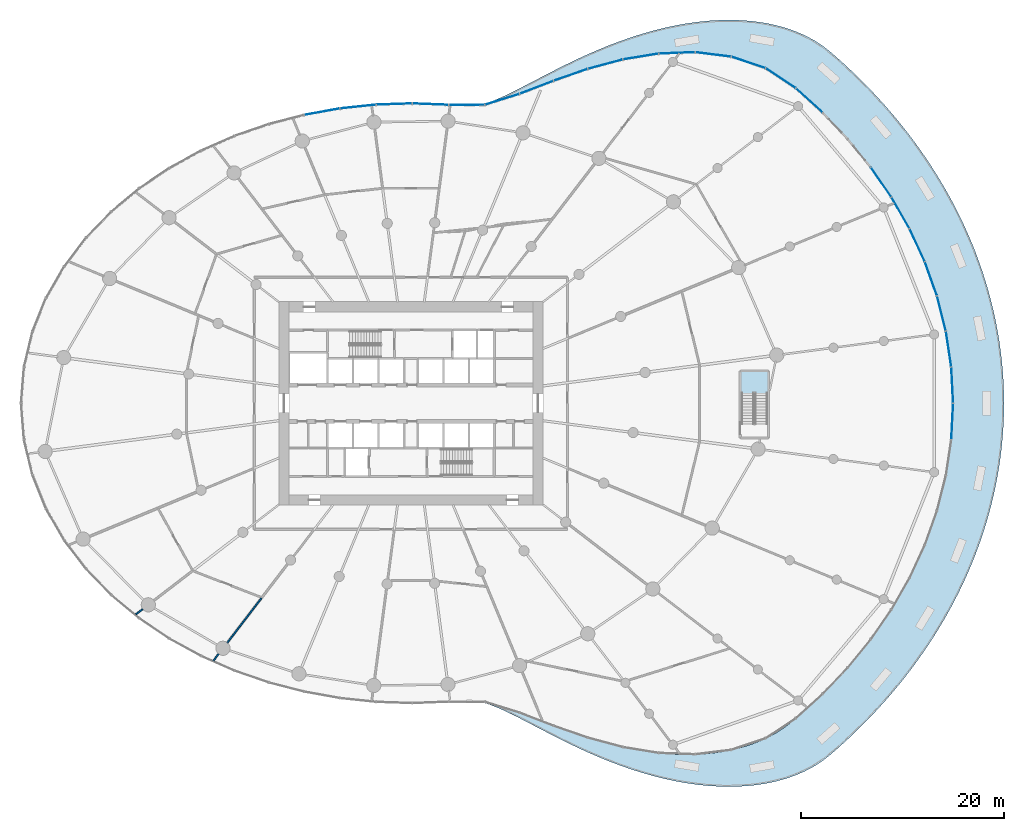
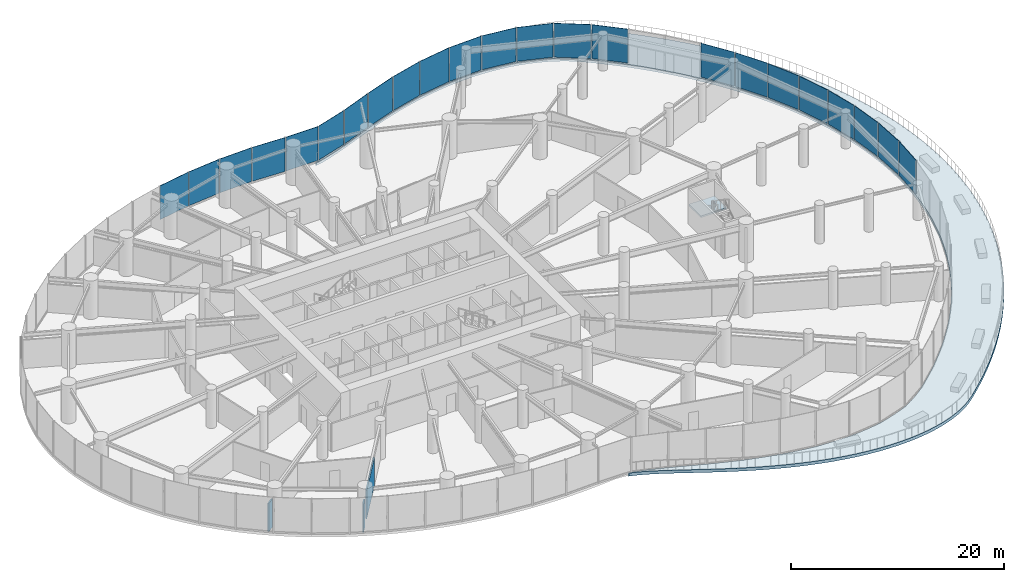
# One storey, part 13 of 24: 23 plates, 3 walls, 2 slabs, 6 elements without a shape of their own.
"""IFC4 building model written with IfcOpenShell, lengths in metres."""

from ifc_helpers import new_model, si_unit, direction, frame, frame_2d, origin, origin_2d, place, context, subcontext, project, spatial, line, indexed_curve, rectangle, outline, extrude, source, transform, mapped, material, layer, layer_set, type_object, element, aggregate, save


model = new_model("IFC4")

# Units and contexts
model_context = context("Model", 3, precision=1e-05, world=origin(), true_north=direction((0.0, 1.0)))
body_context = subcontext(model_context, "Body", "Model", "MODEL_VIEW")
ifc_project = project(units=[si_unit("LENGTHUNIT", "METRE"), si_unit("AREAUNIT", "SQUARE_METRE"), si_unit("VOLUMEUNIT", "CUBIC_METRE"), si_unit("PLANEANGLEUNIT", "RADIAN"), si_unit("MASSUNIT", "GRAM", prefix="KILO")], contexts=[model_context])

# Site, building, storey
site_placement = place(None, origin())
site = spatial("IfcSite", under=ifc_project, at=site_placement, CompositionType="ELEMENT")
building_placement = place(site_placement, origin())
building = spatial("IfcBuilding", under=site, at=building_placement, Name="Spindrift Exchange Tower", CompositionType="ELEMENT")
storey_placement = place(building_placement, frame((0.0, 0.0, 5.0)))
storey = spatial("IfcBuildingStorey", under=building, at=storey_placement, Name="L01", CompositionType="ELEMENT", Elevation=5.0)

# Slab
ifc_material_1 = material(Name="Concrete 40 MPa", Category="concrete")
ifc_layer_1 = layer(ifc_material_1, 0.35009765625)
ifc_layer_set_1 = layer_set([ifc_layer_1], Name="RC Terrace Slab 350 Concrete 40 MPa")
slab_type_1 = type_object("IfcSlabType", Name="RC Terrace Slab 350 Concrete 40 MPa", PredefinedType="FLOOR", material=ifc_layer_set_1)
slab_1_placement = place(storey_placement, frame((0.0, 0.0, -0.35009765625)))
element("IfcSlab", 1, at=slab_1_placement, inside=storey, type_object=slab_type_1, Name="Podium terrace L00", PredefinedType="FLOOR", context=body_context, shape_type="SweptSolid", body=[
    extrude(outline(indexed_curve([(59.0791015625, 77.336181640625), (59.041748046875, 77.344482421875), (59.022216796875, 77.3720703125), (59.02490234375, 77.40576171875), (59.04833984375, 77.43017578125), (59.35986328125, 77.515625), (59.963623046875, 77.722412109375), (60.594970703125, 77.975341796875), (61.25439453125, 78.268798828125), (61.941650390625, 78.59765625), (62.659912109375, 78.9580078125), (65.843017578125, 80.612548828125), (66.718017578125, 81.056396484375), (67.623046875, 81.503173828125), (68.556884765625, 81.947509765625), (69.52099609375, 82.38623046875), (70.511474609375, 82.814208984375), (71.526123046875, 83.226806640625), (72.56640625, 83.62109375), (73.626953125, 83.9921875), (74.70458984375, 84.336181640625), (75.800048828125, 84.64990234375), (76.908447265625, 84.92919921875), (78.02685546875, 85.17138671875), (79.15380859375, 85.372802734375), (80.280029296875, 85.530029296875), (81.4072265625, 85.640869140625), (82.52978515625, 85.702392578125), (83.643310546875, 85.71240234375), (84.7431640625, 85.66845703125), (85.8251953125, 85.568359375), (86.884521484375, 85.410888671875), (87.916259765625, 85.1943359375), (88.915283203125, 84.91748046875), (89.87646484375, 84.5791015625), (90.794189453125, 84.1787109375), (91.663818359375, 83.7158203125), (92.478759765625, 83.1904296875), (93.237060546875, 82.60009765625), (93.95556640625, 81.974365234375), (94.665771484375, 81.334716796875), (95.368408203125, 80.6796875), (96.06005859375, 80.01220703125), (96.743408203125, 79.3291015625), (97.415771484375, 78.6328125), (98.077392578125, 77.922607421875), (98.727783203125, 77.1982421875), (99.3662109375, 76.4599609375), (99.99267578125, 75.7080078125), (100.606201171875, 74.9423828125), (101.206298828125, 74.162841796875), (101.79248046875, 73.3701171875), (102.364501953125, 72.563720703125), (102.92138671875, 71.744384765625), (103.46240234375, 70.912109375), (103.987548828125, 70.066650390625), (104.49560546875, 69.208984375), (104.986572265625, 68.339111328125), (105.45947265625, 67.45703125), (105.913818359375, 66.5634765625), (106.34912109375, 65.658447265625), (106.7646484375, 64.74267578125), (107.159912109375, 63.81640625), (107.534423828125, 62.8798828125), (107.8876953125, 61.93359375), (108.218994140625, 60.978515625), (108.52783203125, 60.0146484375), (108.813720703125, 59.044189453125), (109.076904296875, 58.063720703125), (109.31591796875, 57.077392578125), (109.531005859375, 56.084716796875), (109.721435546875, 55.087890625), (109.88720703125, 54.084716796875), (110.028076171875, 53.077392578125), (110.143798828125, 52.065185546875), (110.23388671875, 51.05126953125), (110.29833984375, 50.03515625), (110.337158203125, 49.017578125), (110.35009765625, 48.00048828125), (110.337158203125, 46.982421875), (110.29833984375, 45.96484375), (110.23388671875, 44.947509765625), (110.143798828125, 43.934814453125), (110.0283203125, 42.923828125), (109.887451171875, 41.91650390625), (109.7216796875, 40.913330078125), (109.531005859375, 39.915283203125), (109.31591796875, 38.922607421875), (109.076904296875, 37.936279296875), (108.81396484375, 36.95703125), (108.52783203125, 35.9853515625), (108.218994140625, 35.021484375), (107.8876953125, 34.06640625), (107.534423828125, 33.1201171875), (107.159912109375, 32.18359375), (106.7646484375, 31.25732421875), (106.34912109375, 30.341552734375), (105.913818359375, 29.4365234375), (105.45947265625, 28.54296875), (104.986572265625, 27.660888671875), (104.49560546875, 26.791015625), (103.987548828125, 25.933349609375), (103.46240234375, 25.087890625), (102.92138671875, 24.255615234375), (102.364501953125, 23.436279296875), (101.79248046875, 22.6298828125), (101.206298828125, 21.837158203125), (100.606201171875, 21.0576171875), (99.99267578125, 20.2919921875), (99.36572265625, 19.539306640625), (98.727783203125, 18.8017578125), (98.076904296875, 18.076904296875), (97.415283203125, 17.36669921875), (96.743408203125, 16.6708984375), (96.060791015625, 15.988525390625), (95.368408203125, 15.3203125), (94.66650390625, 14.666015625), (93.955078125, 14.02490234375), (93.23486328125, 13.398193359375), (92.478759765625, 12.8095703125), (91.663818359375, 12.2841796875), (90.7978515625, 11.822998046875), (89.87646484375, 11.4208984375), (88.915283203125, 11.08251953125), (87.919189453125, 10.806396484375), (86.884521484375, 10.589111328125), (85.8251953125, 10.431640625), (84.745849609375, 10.331787109375), (83.643310546875, 10.28759765625), (82.52978515625, 10.297607421875), (81.409423828125, 10.35888671875), (80.280029296875, 10.469970703125), (79.152099609375, 10.62744140625), (78.02685546875, 10.82861328125), (76.908447265625, 11.07080078125), (75.801513671875, 11.349853515625), (74.70458984375, 11.663818359375), (73.626953125, 12.0078125), (72.56640625, 12.37890625), (71.527099609375, 12.77294921875), (70.511474609375, 13.185791015625), (69.520263671875, 13.6142578125), (68.5576171875, 14.05224609375), (67.622314453125, 14.497314453125), (66.718017578125, 14.943603515625), (65.843017578125, 15.387451171875), (62.65966796875, 17.042236328125), (61.94189453125, 17.402099609375), (61.25439453125, 17.731201171875), (60.595703125, 18.0244140625), (59.96484375, 18.277099609375), (59.35986328125, 18.484375), (59.052734375, 18.56787109375), (59.027099609375, 18.58984375), (59.021240234375, 18.623046875), (59.041748046875, 18.655517578125), (59.0791015625, 18.663818359375), (59.326416015625, 18.6201171875), (59.907470703125, 18.485107421875), (60.512451171875, 18.316162109375), (61.134765625, 18.119384765625), (61.781494140625, 17.896484375), (62.44970703125, 17.65234375), (66.14453125, 16.230712890625), (66.9541015625, 15.930908203125), (67.785888671875, 15.63427734375), (68.63916015625, 15.343994140625), (69.512451171875, 15.063720703125), (70.405029296875, 14.7958984375), (71.316162109375, 14.5439453125), (72.242431640625, 14.311279296875), (73.182861328125, 14.1005859375), (74.134765625, 13.9150390625), (75.09716796875, 13.756591796875), (76.06689453125, 13.62841796875), (77.04150390625, 13.53271484375), (78.018310546875, 13.4716796875), (78.99560546875, 13.447998046875), (79.966796875, 13.463134765625), (80.93212890625, 13.519287109375), (81.88720703125, 13.617919921875), (82.82958984375, 13.760986328125), (83.752197265625, 13.94921875), (84.65625, 14.184326171875), (85.53271484375, 14.466552734375), (86.3828125, 14.7978515625), (87.197021484375, 15.177001953125), (87.975830078125, 15.606201171875), (88.713134765625, 16.08447265625), (89.4052734375, 16.612548828125), (90.0693359375, 17.171875), (90.725830078125, 17.743896484375), (91.375, 18.3291015625), (92.01513671875, 18.927001953125), (92.647216796875, 19.5380859375), (93.2705078125, 20.1630859375), (93.8837890625, 20.800537109375), (94.4873046875, 21.451416015625), (95.080322265625, 22.114990234375), (95.662353515625, 22.791748046875), (96.232666015625, 23.481201171875), (96.79150390625, 24.18408203125), (97.337158203125, 24.8994140625), (97.8701171875, 25.62744140625), (98.389404296875, 26.368408203125), (98.894287109375, 27.12109375), (99.384765625, 27.88671875), (99.859619140625, 28.663818359375), (100.318359375, 29.4521484375), (100.7607421875, 30.252685546875), (101.18603515625, 31.064208984375), (101.59375, 31.886474609375), (101.98291015625, 32.718994140625), (102.353271484375, 33.56103515625), (102.70458984375, 34.4140625), (103.035888671875, 35.27490234375), (103.3466796875, 36.145263671875), (103.636962890625, 37.02392578125), (103.905517578125, 37.910400390625), (104.152587890625, 38.804443359375), (104.37744140625, 39.70458984375), (104.57958984375, 40.610595703125), (104.7587890625, 41.522216796875), (104.914794921875, 42.438720703125), (105.04736328125, 43.358642578125), (105.156005859375, 44.283203125), (105.24072265625, 45.210205078125), (105.301513671875, 46.138427734375), (105.337890625, 47.0693359375), (105.35009765625, 48.000244140625), (105.337890625, 48.9306640625), (105.301513671875, 49.861083984375), (105.24072265625, 50.789794921875), (105.156005859375, 51.716796875), (105.04736328125, 52.641357421875), (104.914794921875, 53.56201171875), (104.7587890625, 54.477783203125), (104.57958984375, 55.389404296875), (104.377197265625, 56.296142578125), (104.152587890625, 57.1962890625), (103.905517578125, 58.089599609375), (103.636962890625, 58.97607421875), (103.3466796875, 59.854736328125), (103.035888671875, 60.72509765625), (102.70458984375, 61.5859375), (102.353515625, 62.438232421875), (101.98291015625, 63.281005859375), (101.593505859375, 64.1142578125), (101.185791015625, 64.936279296875), (100.7607421875, 65.747314453125), (100.318359375, 66.5478515625), (99.859619140625, 67.336181640625), (99.384765625, 68.11328125), (98.89453125, 68.87841796875), (98.389404296875, 69.6318359375), (97.870361328125, 70.372314453125), (97.33740234375, 71.100341796875), (96.79150390625, 71.81591796875), (96.23291015625, 72.518310546875), (95.662353515625, 73.208251953125), (95.080322265625, 73.885009765625), (94.4873046875, 74.548583984375), (93.883544921875, 75.19970703125), (93.2705078125, 75.8369140625), (92.6474609375, 76.46142578125), (92.015625, 77.07275390625), (91.37451171875, 77.671142578125), (90.726318359375, 78.256103515625), (90.0693359375, 78.828125), (89.4052734375, 79.387451171875), (88.71484375, 79.914306640625), (87.975830078125, 80.393798828125), (87.197021484375, 80.822998046875), (86.38134765625, 81.20263671875), (85.53271484375, 81.533447265625), (84.65625, 81.815673828125), (83.752197265625, 82.05078125), (82.828369140625, 82.239013671875), (81.88720703125, 82.382080078125), (80.93212890625, 82.480712890625), (79.966796875, 82.536865234375), (78.994384765625, 82.552001953125), (78.018310546875, 82.5283203125), (77.04248046875, 82.46728515625), (76.06689453125, 82.37158203125), (75.097900390625, 82.243408203125), (74.135498046875, 82.085205078125), (73.182861328125, 81.8994140625), (72.24169921875, 81.6884765625), (71.3154296875, 81.455810546875), (70.40576171875, 81.204345703125), (69.512451171875, 80.936279296875), (68.638916015625, 80.656005859375), (67.785888671875, 80.36572265625), (66.9541015625, 80.069091796875), (65.3583984375, 79.470458984375), (63.140869140625, 78.60986328125), (61.78076171875, 78.10302734375), (61.135986328125, 77.880859375), (60.5107421875, 77.683349609375), (59.907470703125, 77.514892578125), (59.326416015625, 77.3798828125)], segments=[line(1, 2, 3, 4, 5, 6, 7, 8, 9, 10, 11, 12, 13, 14, 15, 16, 17, 18, 19, 20, 21, 22, 23, 24, 25, 26, 27, 28, 29, 30, 31, 32, 33, 34, 35, 36, 37, 38, 39, 40, 41, 42, 43, 44, 45, 46, 47, 48, 49, 50, 51, 52, 53, 54, 55, 56, 57, 58, 59, 60, 61, 62, 63, 64, 65, 66, 67, 68, 69, 70, 71, 72, 73, 74, 75, 76, 77, 78, 79, 80, 81, 82, 83, 84, 85, 86, 87, 88, 89, 90, 91, 92, 93, 94, 95, 96, 97, 98, 99, 100, 101, 102, 103, 104, 105, 106, 107, 108, 109, 110, 111, 112, 113, 114, 115, 116, 117, 118, 119, 120, 121, 122, 123, 124, 125, 126, 127, 128, 129, 130, 131, 132, 133, 134, 135, 136, 137, 138, 139, 140, 141, 142, 143, 144, 145, 146, 147, 148, 149, 150, 151, 152, 153, 154, 155, 156, 157, 158, 159, 160, 161, 162, 163, 164, 165, 166, 167, 168, 169, 170, 171, 172, 173, 174, 175, 176, 177, 178, 179, 180, 181, 182, 183, 184, 185, 186, 187, 188, 189, 190, 191, 192, 193, 194, 195, 196, 197, 198, 199, 200, 201, 202, 203, 204, 205, 206, 207, 208, 209, 210, 211, 212, 213, 214, 215, 216, 217, 218, 219, 220, 221, 222, 223, 224, 225, 226, 227, 228, 229, 230, 231, 232, 233, 234, 235, 236, 237, 238, 239, 240, 241, 242, 243, 244, 245, 246, 247, 248, 249, 250, 251, 252, 253, 254, 255, 256, 257, 258, 259, 260, 261, 262, 263, 264, 265, 266, 267, 268, 269, 270, 271, 272, 273, 274, 275, 276, 277, 278, 279, 280, 281, 282, 283, 284, 285, 286, 287, 288, 289, 290, 291, 292, 293, 294, 295, 296, 297, 298, 299, 300, 301, 302, 1)], self_intersect=False)), origin(), (0.0, 0.0, 1.0), 0.35009765625),
])

# Stair, slab
ifc_material_2 = material(Name="Concrete 50 MPa", Category="concrete")
stair_type = type_object("IfcStairType", Name="ST-1250-R183", PredefinedType="HALF_TURN_STAIR", material=ifc_material_2)
stair_placement = place(storey_placement, origin())
stair = element("IfcStair", 2, at=stair_placement, inside=storey, type_object=stair_type, Name="L01 Exit stair ST5", PredefinedType="HALF_TURN_STAIR")
ifc_layer_2 = layer(ifc_material_2, 0.199951171875)
ifc_layer_set_2 = layer_set([ifc_layer_2], Name="SL-LANDING")
slab_type_2 = type_object("IfcSlabType", Name="SL-LANDING", PredefinedType="LANDING", material=ifc_layer_set_2)
slab_2_placement = place(storey_placement, frame((0.0, 0.0, 2.0)))
slab_2 = element("IfcSlab", 3, at=slab_2_placement, type_object=slab_type_2, Name="ST5 landing 1", PredefinedType="LANDING", context=body_context, shape_type="SweptSolid", body=[
    extrude(outline(indexed_curve([(84.39990234375, 48.949951171875), (84.39990234375, 51.199951171875), (87.199951171875, 51.199951171875), (87.199951171875, 48.949951171875)], segments=[line(1, 2, 3, 4, 1)], self_intersect=False)), origin(), (0.0, 0.0, 1.0), 0.199951171875),
])
aggregate(stair, [slab_2])

# Curtain wall, plates
ifc_material_3 = material(Name="Fritted laminated glass with bronze frame", Category="glass")
ifc_layer_3 = layer(ifc_material_3, 0.219970703125)
ifc_layer_set_3 = layer_set([ifc_layer_3], Name="PODIUM BRONZE GLAZED WALL")
curtain_wall_type = type_object("IfcCurtainWallType", Name="PODIUM BRONZE GLAZED WALL", PredefinedType="NOTDEFINED", material=ifc_layer_set_3)
curtain_wall_1_placement = place(storey_placement, origin())
curtain_wall_1 = element("IfcCurtainWall", 4, at=curtain_wall_1_placement, inside=storey, type_object=curtain_wall_type, Name="L01 Podium Bronze Glazed Wall run 1", PredefinedType="NOTDEFINED")
ifc_material_4 = material(Name="Bronze fritted laminated glass, close frit", Category="glass")
ifc_layer_4 = layer(ifc_material_4, 0.0400390625)
ifc_layer_set_4 = layer_set([ifc_layer_4], Name="PODIUM BRONZE GLAZED WALL PANEL CLOSE FRIT 420")
plate_type_1 = type_object("IfcPlateType", Name="PODIUM BRONZE GLAZED WALL PANEL CLOSE FRIT 420", PredefinedType="CURTAIN_PANEL", material=ifc_layer_set_4)
shared_shape_1 = source(origin(), body_context, "Body", "SweptSolid", [
    extrude(rectangle(XDim=3.486083984375, YDim=0.0400390625, at=origin_2d()), origin(), (0.0, 0.0, 1.0), 3.889892578125),
])
plate_1_placement = place(storey_placement, frame((105.259521484375, 49.785888671875, 0.16015625), z_axis=(0.0, 0.0, 1.0), x_axis=(-0.050530188589, 0.998722534061, 0.0)))
plate_1 = element("IfcPlate", 5, at=plate_1_placement, type_object=plate_type_1, Name="L01 panel CW-P.1", PredefinedType="CURTAIN_PANEL", context=body_context, shape_type="MappedRepresentation", body=[
    mapped(shared_shape_1, transform((0.0, 0.0, 0.0), scale=1.0)),
])
ifc_layer_5 = layer(ifc_material_4, 0.0400390625)
ifc_layer_set_5 = layer_set([ifc_layer_5], Name="PODIUM BRONZE GLAZED WALL PANEL CLOSE FRIT 300")
plate_type_2 = type_object("IfcPlateType", Name="PODIUM BRONZE GLAZED WALL PANEL CLOSE FRIT 300", PredefinedType="CURTAIN_PANEL", material=ifc_layer_set_5)
shared_shape_2 = source(origin(), body_context, "Body", "SweptSolid", [
    extrude(rectangle(XDim=3.48583984375, YDim=0.0400390625, at=origin_2d()), origin(), (0.0, 0.0, 1.0), 3.889892578125),
])
plate_2_placement = place(storey_placement, frame((104.902099609375, 53.33935546875, 0.16015625), z_axis=(0.0, 0.0, 1.0), x_axis=(-0.149414542948, 0.988774642856, 0.0)))
plate_2 = element("IfcPlate", 6, at=plate_2_placement, type_object=plate_type_2, Name="L01 panel CW-P.2", PredefinedType="CURTAIN_PANEL", context=body_context, shape_type="MappedRepresentation", body=[
    mapped(shared_shape_2, transform((0.0, 0.0, 0.0), scale=1.0)),
])
ifc_layer_6 = layer(ifc_material_4, 0.0400390625)
ifc_layer_set_6 = layer_set([ifc_layer_6], Name="PODIUM BRONZE GLAZED WALL PANEL CLOSE FRIT 540")
plate_type_3 = type_object("IfcPlateType", Name="PODIUM BRONZE GLAZED WALL PANEL CLOSE FRIT 540", PredefinedType="CURTAIN_PANEL", material=ifc_layer_set_6)
shared_shape_3 = source(origin(), body_context, "Body", "SweptSolid", [
    extrude(rectangle(XDim=3.48583984375, YDim=0.0400390625, at=origin_2d()), origin(), (0.0, 0.0, 1.0), 3.889892578125),
])
plate_3_placement = place(storey_placement, frame((104.197021484375, 56.8408203125, 0.16015625), z_axis=(0.0, 0.0, 1.0), x_axis=(-0.245055269389, 0.969509110295, 0.0)))
plate_3 = element("IfcPlate", 7, at=plate_3_placement, type_object=plate_type_3, Name="L01 panel CW-P.3", PredefinedType="CURTAIN_PANEL", context=body_context, shape_type="MappedRepresentation", body=[
    mapped(shared_shape_3, transform((0.0, 0.0, 0.0), scale=1.0)),
])
shared_shape_4 = source(origin(), body_context, "Body", "SweptSolid", [
    extrude(rectangle(XDim=3.486083984375, YDim=0.0400390625, at=origin_2d()), origin(), (0.0, 0.0, 1.0), 3.889892578125),
])
plate_4_placement = place(storey_placement, frame((103.158203125, 60.25830078125, 0.16015625), z_axis=(0.0, 0.0, 1.0), x_axis=(-0.335814913082, 0.941927993082, 0.0)))
plate_4 = element("IfcPlate", 8, at=plate_4_placement, type_object=plate_type_3, Name="L01 panel CW-P.4", PredefinedType="CURTAIN_PANEL", context=body_context, shape_type="MappedRepresentation", body=[
    mapped(shared_shape_4, transform((0.0, 0.0, 0.0), scale=1.0)),
])
shared_shape_5 = source(origin(), body_context, "Body", "SweptSolid", [
    extrude(rectangle(XDim=3.486083984375, YDim=0.0400390625, at=origin_2d()), origin(), (0.0, 0.0, 1.0), 3.889892578125),
])
plate_5_placement = place(storey_placement, frame((101.805908203125, 63.56494140625, 0.16015625), z_axis=(0.0, 0.0, 1.0), x_axis=(-0.420418310601, 0.907330394129, 0.0)))
plate_5 = element("IfcPlate", 9, at=plate_5_placement, type_object=plate_type_2, Name="L01 panel CW-P.5", PredefinedType="CURTAIN_PANEL", context=body_context, shape_type="MappedRepresentation", body=[
    mapped(shared_shape_5, transform((0.0, 0.0, 0.0), scale=1.0)),
])

# Curtain wall, plate
curtain_wall_2_placement = place(storey_placement, origin())
curtain_wall_2 = element("IfcCurtainWall", 10, at=curtain_wall_2_placement, inside=storey, type_object=curtain_wall_type, Name="L01 Podium Bronze Glazed Wall run 12", PredefinedType="NOTDEFINED")
plate_6_placement = place(storey_placement, frame((105.259521484375, 46.214111328125, 0.16015625), z_axis=(0.0, 0.0, 1.0), x_axis=(0.050530188589, 0.998722534061, 0.0)))
plate_6 = element("IfcPlate", 11, at=plate_6_placement, type_object=plate_type_2, Name="L01 panel CW-P.72", PredefinedType="CURTAIN_PANEL", context=body_context, shape_type="MappedRepresentation", body=[
    mapped(shared_shape_5, transform((0.0, 0.0, 0.0), scale=1.0)),
])
aggregate(curtain_wall_2, [plate_6])

# Plate
shared_shape_6 = source(origin(), body_context, "Body", "SweptSolid", [
    extrude(rectangle(XDim=3.486328125, YDim=0.0400390625, at=origin_2d()), origin(), (0.0, 0.0, 1.0), 3.889892578125),
])
plate_7_placement = place(storey_placement, frame((100.16357421875, 66.73779296875, 0.16015625), z_axis=(0.0, 0.0, 1.0), x_axis=(-0.498160891964, 0.867084612779, 0.0)))
plate_7 = element("IfcPlate", 12, at=plate_7_placement, type_object=plate_type_2, Name="L01 panel CW-P.6", PredefinedType="CURTAIN_PANEL", context=body_context, shape_type="MappedRepresentation", body=[
    mapped(shared_shape_6, transform((0.0, 0.0, 0.0), scale=1.0)),
])

aggregate(curtain_wall_1, [plate_1, plate_2, plate_3, plate_4, plate_5, plate_7])

# Curtain wall, plates
curtain_wall_3_placement = place(storey_placement, origin())
curtain_wall_3 = element("IfcCurtainWall", 13, at=curtain_wall_3_placement, inside=storey, type_object=curtain_wall_type, Name="L01 Podium Bronze Glazed Wall run 2", PredefinedType="NOTDEFINED")
plate_8_placement = place(storey_placement, frame((98.255615234375, 69.75927734375, 0.16015625), z_axis=(0.0, 0.0, 1.0), x_axis=(-0.568777198031, 0.822491640687, 0.0)))
plate_8 = element("IfcPlate", 14, at=plate_8_placement, type_object=plate_type_2, Name="L01 panel CW-P.7", PredefinedType="CURTAIN_PANEL", context=body_context, shape_type="MappedRepresentation", body=[
    mapped(shared_shape_6, transform((0.0, 0.0, 0.0), scale=1.0)),
])
shared_shape_7 = source(origin(), body_context, "Body", "SweptSolid", [
    extrude(rectangle(XDim=3.48681640625, YDim=0.0400390625, at=origin_2d()), origin(), (0.0, 0.0, 1.0), 3.889892578125),
])
plate_9_placement = place(storey_placement, frame((91.189208984375, 77.7958984375, 0.16015625), z_axis=(0.0, 0.0, 1.0), x_axis=(-0.739727406935, 0.672906652835, 0.0)))
plate_9 = element("IfcPlate", 15, at=plate_9_placement, type_object=plate_type_3, Name="L01 panel CW-P.10", PredefinedType="CURTAIN_PANEL", context=body_context, shape_type="MappedRepresentation", body=[
    mapped(shared_shape_7, transform((0.0, 0.0, 0.0), scale=1.0)),
])

# Curtain wall, plate
curtain_wall_4_placement = place(storey_placement, origin())
curtain_wall_4 = element("IfcCurtainWall", 16, at=curtain_wall_4_placement, inside=storey, type_object=curtain_wall_type, Name="L01 Podium Bronze Glazed Wall run 4", PredefinedType="NOTDEFINED")
plate_10_placement = place(storey_placement, frame((46.794189453125, 77.193603515625, 0.16015625), z_axis=(0.0, 0.0, 1.0), x_axis=(-0.994476557934, -0.104958923965, 0.0)))
plate_10 = element("IfcPlate", 17, at=plate_10_placement, type_object=plate_type_3, Name="L01 panel CW-P.23", PredefinedType="CURTAIN_PANEL", context=body_context, shape_type="MappedRepresentation", body=[
    mapped(shared_shape_7, transform((0.0, 0.0, 0.0), scale=1.0)),
])

# Plate
shared_shape_8 = source(origin(), body_context, "Body", "SweptSolid", [
    extrude(rectangle(XDim=3.474853515625, YDim=0.0400390625, at=origin_2d()), origin(), (0.0, 0.0, 1.0), 3.889892578125),
])
plate_11_placement = place(storey_placement, frame((88.379150390625, 79.982177734375, 0.16015625), z_axis=(0.0, 0.0, 1.0), x_axis=(-0.834253621799, 0.551380897851, 0.0)))
plate_11 = element("IfcPlate", 18, at=plate_11_placement, type_object=plate_type_1, Name="L01 panel CW-P.11", PredefinedType="CURTAIN_PANEL", context=body_context, shape_type="MappedRepresentation", body=[
    mapped(shared_shape_8, transform((0.0, 0.0, 0.0), scale=1.0)),
])

shared_shape_9 = source(origin(), body_context, "Body", "SweptSolid", [
    extrude(rectangle(XDim=3.478759765625, YDim=0.0400390625, at=origin_2d()), origin(), (0.0, 0.0, 1.0), 3.889892578125),
])
plate_12_placement = place(storey_placement, frame((85.200439453125, 81.53271484375, 0.16015625), z_axis=(0.0, 0.0, 1.0), x_axis=(-0.948031400922, 0.318176779268, 0.0)))
plate_12 = element("IfcPlate", 19, at=plate_12_placement, type_object=plate_type_2, Name="L01 panel CW-P.12", PredefinedType="CURTAIN_PANEL", context=body_context, shape_type="MappedRepresentation", body=[
    mapped(shared_shape_9, transform((0.0, 0.0, 0.0), scale=1.0)),
])

aggregate(curtain_wall_3, [plate_8, plate_9, plate_11, plate_12])

# Curtain wall, plates
curtain_wall_5_placement = place(storey_placement, origin())
curtain_wall_5 = element("IfcCurtainWall", 20, at=curtain_wall_5_placement, inside=storey, type_object=curtain_wall_type, Name="L01 Podium Bronze Glazed Wall run 3", PredefinedType="NOTDEFINED")
shared_shape_10 = source(origin(), body_context, "Body", "SweptSolid", [
    extrude(rectangle(XDim=3.48291015625, YDim=0.0400390625, at=origin_2d()), origin(), (0.0, 0.0, 1.0), 3.889892578125),
])
plate_13_placement = place(storey_placement, frame((81.73583984375, 82.318603515625, 0.16015625), z_axis=(0.0, 0.0, 1.0), x_axis=(-0.99250866924, 0.122174225941, 0.0)))
plate_13 = element("IfcPlate", 21, at=plate_13_placement, type_object=plate_type_1, Name="L01 panel CW-P.13", PredefinedType="CURTAIN_PANEL", context=body_context, shape_type="MappedRepresentation", body=[
    mapped(shared_shape_10, transform((0.0, 0.0, 0.0), scale=1.0)),
])
shared_shape_11 = source(origin(), body_context, "Body", "SweptSolid", [
    extrude(rectangle(XDim=3.484619140625, YDim=0.0400390625, at=origin_2d()), origin(), (0.0, 0.0, 1.0), 3.889892578125),
])
plate_14_placement = place(storey_placement, frame((78.177001953125, 82.47021484375, 0.16015625), z_axis=(0.0, 0.0, 1.0), x_axis=(-0.999303415107, -0.037318689086, 0.0)))
plate_14 = element("IfcPlate", 22, at=plate_14_placement, type_object=plate_type_1, Name="L01 panel CW-P.14", PredefinedType="CURTAIN_PANEL", context=body_context, shape_type="MappedRepresentation", body=[
    mapped(shared_shape_11, transform((0.0, 0.0, 0.0), scale=1.0)),
])
shared_shape_12 = source(origin(), body_context, "Body", "SweptSolid", [
    extrude(rectangle(XDim=3.4853515625, YDim=0.0400390625, at=origin_2d()), origin(), (0.0, 0.0, 1.0), 3.889892578125),
])
plate_15_placement = place(storey_placement, frame((74.62646484375, 82.115478515625, 0.16015625), z_axis=(0.0, 0.0, 1.0), x_axis=(-0.986933448224, -0.161128423243, 0.0)))
plate_15 = element("IfcPlate", 23, at=plate_15_placement, type_object=plate_type_2, Name="L01 panel CW-P.15", PredefinedType="CURTAIN_PANEL", context=body_context, shape_type="MappedRepresentation", body=[
    mapped(shared_shape_12, transform((0.0, 0.0, 0.0), scale=1.0)),
])
shared_shape_13 = source(origin(), body_context, "Body", "SweptSolid", [
    extrude(rectangle(XDim=3.486328125, YDim=0.0400390625, at=origin_2d()), origin(), (0.0, 0.0, 1.0), 3.889892578125),
])
plate_16_placement = place(storey_placement, frame((71.134765625, 81.364990234375, 0.16015625), z_axis=(0.0, 0.0, 1.0), x_axis=(-0.965994454414, -0.258562785491, 0.0)))
plate_16 = element("IfcPlate", 24, at=plate_16_placement, type_object=plate_type_1, Name="L01 panel CW-P.16", PredefinedType="CURTAIN_PANEL", context=body_context, shape_type="MappedRepresentation", body=[
    mapped(shared_shape_13, transform((0.0, 0.0, 0.0), scale=1.0)),
])
shared_shape_14 = source(origin(), body_context, "Body", "SweptSolid", [
    extrude(rectangle(XDim=3.487060546875, YDim=0.0400390625, at=origin_2d()), origin(), (0.0, 0.0, 1.0), 3.889892578125),
])
plate_17_placement = place(storey_placement, frame((67.718505859375, 80.314208984375, 0.16015625), z_axis=(0.0, 0.0, 1.0), x_axis=(-0.94431321497, -0.329047947924, 0.0)))
plate_17 = element("IfcPlate", 25, at=plate_17_placement, type_object=plate_type_2, Name="L01 panel CW-P.17", PredefinedType="CURTAIN_PANEL", context=body_context, shape_type="MappedRepresentation", body=[
    mapped(shared_shape_14, transform((0.0, 0.0, 0.0), scale=1.0)),
])
shared_shape_15 = source(origin(), body_context, "Body", "SweptSolid", [
    extrude(rectangle(XDim=3.487548828125, YDim=0.0400390625, at=origin_2d()), origin(), (0.0, 0.0, 1.0), 3.889892578125),
])
plate_18_placement = place(storey_placement, frame((64.360595703125, 79.08251953125, 0.16015625), z_axis=(0.0, 0.0, 1.0), x_axis=(-0.933126213422, -0.35954898112, 0.0)))
plate_18 = element("IfcPlate", 26, at=plate_18_placement, type_object=plate_type_2, Name="L01 panel CW-P.18", PredefinedType="CURTAIN_PANEL", context=body_context, shape_type="MappedRepresentation", body=[
    mapped(shared_shape_15, transform((0.0, 0.0, 0.0), scale=1.0)),
])
aggregate(curtain_wall_5, [plate_13, plate_14, plate_15, plate_16, plate_17, plate_18])

# Plate
shared_shape_16 = source(origin(), body_context, "Body", "SweptSolid", [
    extrude(rectangle(XDim=3.483642578125, YDim=0.0400390625, at=origin_2d()), origin(), (0.0, 0.0, 1.0), 3.889892578125),
])
plate_19_placement = place(storey_placement, frame((60.986083984375, 77.905517578125, 0.16015625), z_axis=(0.0, 0.0, 1.0), x_axis=(-0.954324320709, -0.298772640821, 0.0)))
plate_19 = element("IfcPlate", 27, at=plate_19_placement, type_object=plate_type_3, Name="L01 panel CW-P.19", PredefinedType="CURTAIN_PANEL", context=body_context, shape_type="MappedRepresentation", body=[
    mapped(shared_shape_16, transform((0.0, 0.0, 0.0), scale=1.0)),
])

shared_shape_17 = source(origin(), body_context, "Body", "SweptSolid", [
    extrude(rectangle(XDim=3.46923828125, YDim=0.0400390625, at=origin_2d()), origin(), (0.0, 0.0, 1.0), 3.889892578125),
])
plate_20_placement = place(storey_placement, frame((57.501220703125, 77.365966796875, 0.16015625), z_axis=(0.0, 0.0, 1.0), x_axis=(-0.999994871427, -0.003202673702, 0.0)))
plate_20 = element("IfcPlate", 28, at=plate_20_placement, type_object=plate_type_2, Name="L01 panel CW-P.20", PredefinedType="CURTAIN_PANEL", context=body_context, shape_type="MappedRepresentation", body=[
    mapped(shared_shape_17, transform((0.0, 0.0, 0.0), scale=1.0)),
])

shared_shape_18 = source(origin(), body_context, "Body", "SweptSolid", [
    extrude(rectangle(XDim=3.48681640625, YDim=0.0400390625, at=origin_2d()), origin(), (0.0, 0.0, 1.0), 3.889892578125),
])
plate_21_placement = place(storey_placement, frame((53.9345703125, 77.4296875, 0.16015625), z_axis=(0.0, 0.0, 1.0), x_axis=(-0.99924566483, 0.038834280197, 0.0)))
plate_21 = element("IfcPlate", 29, at=plate_21_placement, type_object=plate_type_2, Name="L01 panel CW-P.21", PredefinedType="CURTAIN_PANEL", context=body_context, shape_type="MappedRepresentation", body=[
    mapped(shared_shape_18, transform((0.0, 0.0, 0.0), scale=1.0)),
])

plate_22_placement = place(storey_placement, frame((50.360107421875, 77.440185546875, 0.16015625), z_axis=(0.0, 0.0, 1.0), x_axis=(-0.999457482979, -0.032935387007, 0.0)))
plate_22 = element("IfcPlate", 30, at=plate_22_placement, type_object=plate_type_2, Name="L01 panel CW-P.22", PredefinedType="CURTAIN_PANEL", context=body_context, shape_type="MappedRepresentation", body=[
    mapped(shared_shape_18, transform((0.0, 0.0, 0.0), scale=1.0)),
])

shared_shape_19 = source(origin(), body_context, "Body", "SweptSolid", [
    extrude(rectangle(XDim=3.48681640625, YDim=0.0400390625, at=origin_2d()), origin(), (0.0, 0.0, 1.0), 3.889892578125),
])
plate_23_placement = place(storey_placement, frame((43.255859375, 76.688720703125, 0.16015625), z_axis=(0.0, 0.0, 1.0), x_axis=(-0.984123822775, -0.177483242721, 0.0)))
plate_23 = element("IfcPlate", 31, at=plate_23_placement, type_object=plate_type_1, Name="L01 panel CW-P.24", PredefinedType="CURTAIN_PANEL", context=body_context, shape_type="MappedRepresentation", body=[
    mapped(shared_shape_19, transform((0.0, 0.0, 0.0), scale=1.0)),
])

aggregate(curtain_wall_4, [plate_19, plate_20, plate_21, plate_22, plate_10, plate_23])

# Walls
ifc_material_5 = material(Name="Fire-rated plasterboard partition", Category="gypsum")
ifc_layer_7 = layer(ifc_material_5, 0.139892578125)
ifc_layer_set_7 = layer_set([ifc_layer_7], Name="W-PLANT-140")
wall_type = type_object("IfcWallType", Name="W-PLANT-140", PredefinedType="PARTITIONING", material=ifc_layer_set_7)
wall_1_placement = place(storey_placement, frame((37.287841796875, 28.826904296875, 0.0), z_axis=(0.0, 0.0, 1.0), x_axis=(-0.608754531121, -0.793358633179, 0.0)))
element("IfcWall", 32, at=wall_1_placement, inside=storey, type_object=wall_type, Name="L01 Partition wall 96", PredefinedType="PARTITIONING", context=body_context, shape_type="SweptSolid", body=[
    extrude(rectangle(XDim=5.505615234375, YDim=0.139892578125, at=frame_2d((2.7529296875, 0.0))), origin(), (0.0, 0.0, 1.0), 3.25),
])
wall_2_placement = place(storey_placement, frame((25.605712890625, 27.746826171875, 0.0), z_axis=(0.0, 0.0, 1.0), x_axis=(-0.793456422987, -0.608627065468, 0.0)))
element("IfcWall", 33, at=wall_2_placement, inside=storey, type_object=wall_type, Name="L01 Partition wall 152", PredefinedType="PARTITIONING", context=body_context, shape_type="SweptSolid", body=[
    extrude(rectangle(XDim=0.8388671875, YDim=0.139892578125, at=frame_2d((0.41943359375, 0.0))), origin(), (0.0, 0.0, 1.0), 3.25),
])
wall_3_placement = place(storey_placement, frame((33.0791015625, 23.341552734375, 0.0), z_axis=(0.0, 0.0, 1.0), x_axis=(-0.608939798959, -0.793216440351, 0.0)))
element("IfcWall", 34, at=wall_3_placement, inside=storey, type_object=wall_type, Name="L01 Partition wall 153", PredefinedType="PARTITIONING", context=body_context, shape_type="SweptSolid", body=[
    extrude(rectangle(XDim=0.82666015625, YDim=0.139892578125, at=frame_2d((0.413330078125, 0.0))), origin(), (0.0, 0.0, 1.0), 3.25),
])

save(model, "model.ifc")
